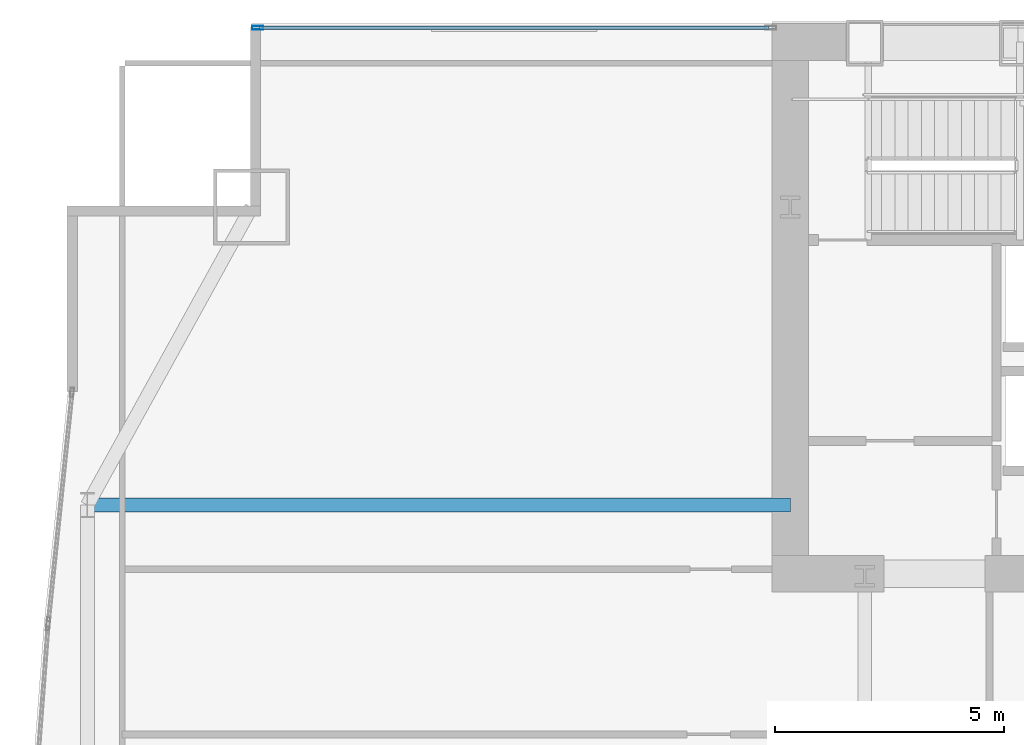
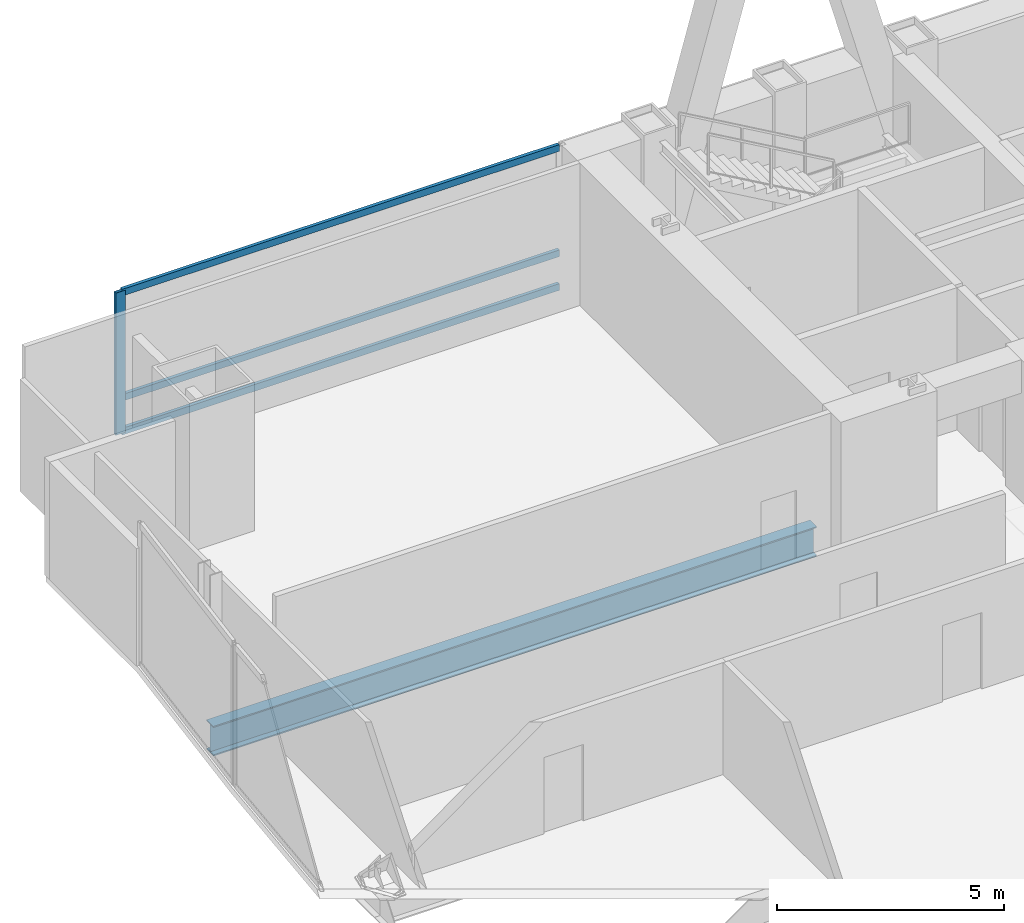
# One storey, part 17 of 35: 4 members, 1 beam, 1 element without a shape of its own.
"""IFC4 building model written with IfcOpenShell, lengths in metres."""

from ifc_helpers import new_model, si_unit, direction, frame, origin, origin_2d, place, context, subcontext, project, spatial, hollow_rectangle, i_section, extrude, material, material_profile, profile_set, type_object, element, aggregate, save


model = new_model("IFC4")

# Units and contexts
model_context = context("Model", 3, precision=1e-05, world=origin(), true_north=direction((0.0, 1.0)))
body_context = subcontext(model_context, "Body", "Model", "MODEL_VIEW")
ifc_project = project(units=[si_unit("LENGTHUNIT", "METRE"), si_unit("AREAUNIT", "SQUARE_METRE"), si_unit("VOLUMEUNIT", "CUBIC_METRE"), si_unit("PLANEANGLEUNIT", "RADIAN"), si_unit("MASSUNIT", "GRAM", prefix="KILO")], contexts=[model_context])

# Site, building, storey
site_placement = place(None, origin())
site = spatial("IfcSite", under=ifc_project, at=site_placement, CompositionType="ELEMENT")
building_placement = place(site_placement, origin())
building = spatial("IfcBuilding", under=site, at=building_placement, Name="Khoronbel Lancet Exchange", CompositionType="ELEMENT")
storey_placement = place(building_placement, frame((0.0, 0.0, 25.800048828125)))
storey = spatial("IfcBuildingStorey", under=building, at=storey_placement, Name="L05", CompositionType="ELEMENT", Elevation=25.800048828125)

# Beam
ifc_material_1 = material(Name="Steel S355", Category="steel")
ifc_material_profile_1 = material_profile(ifc_material_1, i_section(OverallWidth=0.300048828125, OverallDepth=0.800048828125, WebThickness=0.017578125, FlangeThickness=0.032958984375, at=origin_2d()), Name="HEB 800")
ifc_profile_set_1 = profile_set([ifc_material_profile_1], Name="Steel S355")
beam_type = type_object("IfcBeamType", Name="BM-BG2", PredefinedType="BEAM", material=ifc_profile_set_1)
beam_placement = place(storey_placement, frame((1.27001953125, 43.199951171875, -0.580078125), z_axis=(1.0, 0.0, 0.0), x_axis=(0.0, 1.0, 0.0)))
element("IfcBeam", 1, at=beam_placement, inside=storey, type_object=beam_type, Name="Level L05 west lens tie girder LG3W", PredefinedType="BEAM", context=body_context, shape_type="SweptSolid", body=[
    extrude(i_section(OverallWidth=0.300048828125, OverallDepth=0.800048828125, WebThickness=0.017578125, FlangeThickness=0.032958984375, at=origin_2d()), origin(), (0.0, 0.0, 1.0), 15.330078125),
])

# Curtain wall, members
ifc_material_2 = material(Name="Low-E Solar Control Insulating Glass", Category="glass")
curtain_wall_type = type_object("IfcCurtainWallType", Name="CW-1", PredefinedType="NOTDEFINED", material=ifc_material_2)
curtain_wall_placement = place(storey_placement, origin())
curtain_wall = element("IfcCurtainWall", 2, at=curtain_wall_placement, inside=storey, type_object=curtain_wall_type, Name="Unitised curtain wall CW-L05-NWFLK", PredefinedType="NOTDEFINED")
ifc_material_3 = material(Name="Bronze-Anodised Aluminium 6063-T6", Category="aluminium")
ifc_material_profile_2 = material_profile(ifc_material_3, hollow_rectangle(XDim=0.0849609375, YDim=0.239990234375, WallThickness=0.006103515625, at=origin_2d()), Name="ALU MULLION 85x240")
ifc_profile_set_2 = profile_set([ifc_material_profile_2], Name="Bronze-Anodised Aluminium 6063-T6")
member_type_1 = type_object("IfcMemberType", Name="MEM-CWM1", PredefinedType="MULLION", material=ifc_profile_set_2)
member_1_placement = place(storey_placement, frame((4.982421875, 53.610107421875, 0.0), z_axis=(0.0, 0.0, 1.0), x_axis=(0.0, -1.0, 0.0)))
member_1 = element("IfcMember", 3, at=member_1_placement, type_object=member_type_1, Name="CW1 mullion 2", PredefinedType="MULLION", context=body_context, shape_type="SweptSolid", body=[
    extrude(hollow_rectangle(XDim=0.0849609375, YDim=0.239990234375, WallThickness=0.006103515625, at=origin_2d()), origin(), (0.0, 0.0, 1.0), 3.820068359375),
])
ifc_material_profile_3 = material_profile(ifc_material_3, hollow_rectangle(XDim=0.0849609375, YDim=0.179931640625, WallThickness=0.0048828125, at=origin_2d()), Name="ALU TRANSOM 85x180")
ifc_profile_set_3 = profile_set([ifc_material_profile_3], Name="Bronze-Anodised Aluminium 6063-T6")
member_type_2 = type_object("IfcMemberType", Name="MEM-CWT1", PredefinedType="USERDEFINED", material=ifc_profile_set_3)
member_2_placement = place(storey_placement, frame((16.135009765625, 53.610107421875, 0.04248046875), z_axis=(-1.0, 0.0, 0.0), x_axis=(0.0, -1.0, 0.0)))
member_2 = element("IfcMember", 4, at=member_2_placement, type_object=member_type_2, Name="CW1 transom 1.1", ObjectType="TRANSOM", PredefinedType="USERDEFINED", context=body_context, shape_type="SweptSolid", body=[
    extrude(hollow_rectangle(XDim=0.0849609375, YDim=0.179931640625, WallThickness=0.0048828125, at=origin_2d()), origin(), (0.0, 0.0, 1.0), 11.110107421875),
])
member_3_placement = place(storey_placement, frame((16.135009765625, 53.610107421875, 0.949951171875), z_axis=(-1.0, 0.0, 0.0), x_axis=(0.0, -1.0, 0.0)))
member_3 = element("IfcMember", 5, at=member_3_placement, type_object=member_type_2, Name="CW1 transom 1.2", ObjectType="TRANSOM", PredefinedType="USERDEFINED", context=body_context, shape_type="SweptSolid", body=[
    extrude(hollow_rectangle(XDim=0.0849609375, YDim=0.179931640625, WallThickness=0.0048828125, at=origin_2d()), origin(), (0.0, 0.0, 1.0), 11.110107421875),
])
member_4_placement = place(storey_placement, frame((16.135009765625, 53.610107421875, 3.77734375), z_axis=(-1.0, 0.0, 0.0), x_axis=(0.0, -1.0, 0.0)))
member_4 = element("IfcMember", 6, at=member_4_placement, type_object=member_type_2, Name="CW1 transom 1.3", ObjectType="TRANSOM", PredefinedType="USERDEFINED", context=body_context, shape_type="SweptSolid", body=[
    extrude(hollow_rectangle(XDim=0.0849609375, YDim=0.179931640625, WallThickness=0.0048828125, at=origin_2d()), origin(), (0.0, 0.0, 1.0), 11.110107421875),
])
aggregate(curtain_wall, [member_1, member_2, member_3, member_4])

save(model, "model.ifc")
